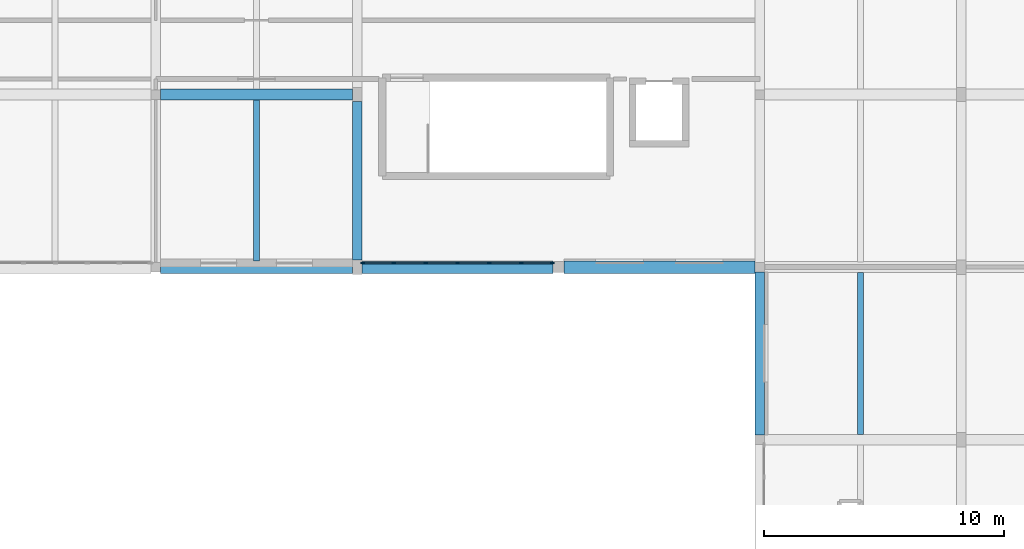
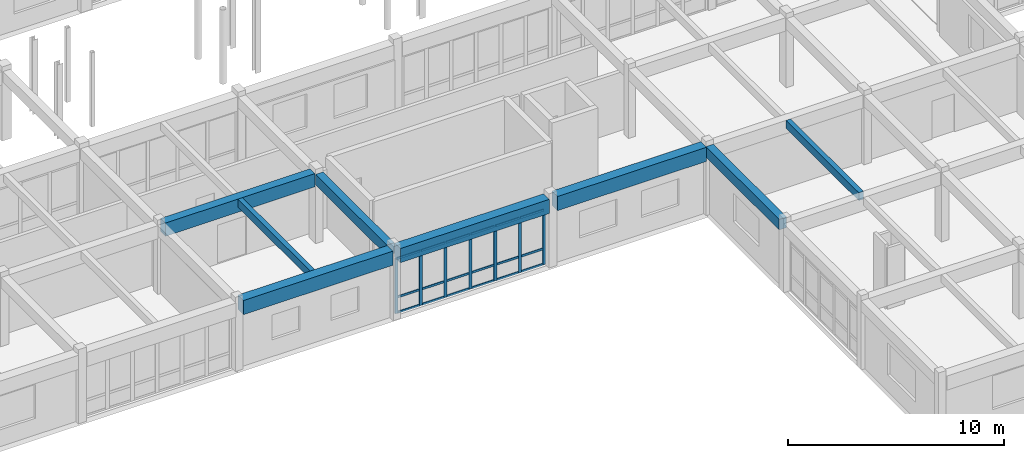
# One storey, part 44 of 147: 25 members, 8 beams, 1 element without a shape of its own.
"""IFC4 building model written with IfcOpenShell, lengths in metres."""

from ifc_helpers import new_model, si_unit, direction, frame, origin, origin_2d, place, context, subcontext, project, spatial, rectangle, extrude, material, material_profile, profile_set, type_object, element, aggregate, save


model = new_model("IFC4")

# Units and contexts
model_context = context("Model", 3, precision=1e-05, world=origin(), true_north=direction((0.0, 1.0)))
body_context = subcontext(model_context, "Body", "Model", "MODEL_VIEW")
ifc_project = project(units=[si_unit("LENGTHUNIT", "METRE"), si_unit("AREAUNIT", "SQUARE_METRE"), si_unit("VOLUMEUNIT", "CUBIC_METRE"), si_unit("PLANEANGLEUNIT", "RADIAN"), si_unit("MASSUNIT", "GRAM", prefix="KILO")], contexts=[model_context])

# Site, building, storey
site_placement = place(None, origin())
site = spatial("IfcSite", under=ifc_project, at=site_placement, CompositionType="ELEMENT")
building_placement = place(site_placement, origin())
building = spatial("IfcBuilding", under=site, at=building_placement, Name="Malvenik Polytechnic", CompositionType="ELEMENT")
storey_placement = place(building_placement, frame((0.0, 0.0, 5.10009765625)))
storey = spatial("IfcBuildingStorey", under=building, at=storey_placement, Name="L01", CompositionType="ELEMENT", Elevation=5.10009765625)

# Curtain wall, members
ifc_material_1 = material(Name="Anodised aluminium 6060-T6", Category="aluminium")
curtain_wall_type = type_object("IfcCurtainWallType", Name="ARC-CW-CW-02", PredefinedType="NOTDEFINED", material=ifc_material_1)
curtain_wall_placement = place(storey_placement, origin())
curtain_wall = element("IfcCurtainWall", 1, at=curtain_wall_placement, inside=storey, type_object=curtain_wall_type, Name="Unitised Curtain Wall CW-02 L01 #113", PredefinedType="NOTDEFINED")
ifc_material_2 = material(Name="Anodised aluminium", Category="aluminium")
ifc_material_profile_1 = material_profile(ifc_material_2, rectangle(XDim=0.06005859375, YDim=0.159912109375, at=origin_2d()), Name="ALU MULLION 60x160")
ifc_profile_set_1 = profile_set([ifc_material_profile_1], Name="Anodised aluminium")
member_type_1 = type_object("IfcMemberType", Name="ARC-CWM-160", PredefinedType="MULLION", material=ifc_profile_set_1)
member_1_placement = place(storey_placement, frame((108.947021484375, 21.77001953125, 0.0), z_axis=(0.0, 0.0, 1.0), x_axis=(0.0, -1.0, 0.0)))
member_1 = element("IfcMember", 2, at=member_1_placement, type_object=member_type_1, Name="CW-02 mullion 1", PredefinedType="MULLION", context=body_context, shape_type="SweptSolid", body=[
    extrude(rectangle(XDim=0.06005859375, YDim=0.159912109375, at=origin_2d()), origin(), (0.0, 0.0, 1.0), 3.10986328125),
])
member_2_placement = place(storey_placement, frame((107.647216796875, 21.77001953125, 0.0), z_axis=(0.0, 0.0, 1.0), x_axis=(0.0, -1.0, 0.0)))
member_2 = element("IfcMember", 3, at=member_2_placement, type_object=member_type_1, Name="CW-02 mullion 2", PredefinedType="MULLION", context=body_context, shape_type="SweptSolid", body=[
    extrude(rectangle(XDim=0.06005859375, YDim=0.159912109375, at=origin_2d()), origin(), (0.0, 0.0, 1.0), 3.10986328125),
])
member_3_placement = place(storey_placement, frame((106.3173828125, 21.77001953125, 0.0), z_axis=(0.0, 0.0, 1.0), x_axis=(0.0, -1.0, 0.0)))
member_3 = element("IfcMember", 4, at=member_3_placement, type_object=member_type_1, Name="CW-02 mullion 3", PredefinedType="MULLION", context=body_context, shape_type="SweptSolid", body=[
    extrude(rectangle(XDim=0.06005859375, YDim=0.159912109375, at=origin_2d()), origin(), (0.0, 0.0, 1.0), 3.10986328125),
])
member_4_placement = place(storey_placement, frame((104.987548828125, 21.77001953125, 0.0), z_axis=(0.0, 0.0, 1.0), x_axis=(0.0, -1.0, 0.0)))
member_4 = element("IfcMember", 5, at=member_4_placement, type_object=member_type_1, Name="CW-02 mullion 4", PredefinedType="MULLION", context=body_context, shape_type="SweptSolid", body=[
    extrude(rectangle(XDim=0.06005859375, YDim=0.159912109375, at=origin_2d()), origin(), (0.0, 0.0, 1.0), 3.10986328125),
])
member_5_placement = place(storey_placement, frame((103.65771484375, 21.77001953125, 0.0), z_axis=(0.0, 0.0, 1.0), x_axis=(0.0, -1.0, 0.0)))
member_5 = element("IfcMember", 6, at=member_5_placement, type_object=member_type_1, Name="CW-02 mullion 5", PredefinedType="MULLION", context=body_context, shape_type="SweptSolid", body=[
    extrude(rectangle(XDim=0.06005859375, YDim=0.159912109375, at=origin_2d()), origin(), (0.0, 0.0, 1.0), 3.10986328125),
])
member_6_placement = place(storey_placement, frame((102.327880859375, 21.77001953125, 0.0), z_axis=(0.0, 0.0, 1.0), x_axis=(0.0, -1.0, 0.0)))
member_6 = element("IfcMember", 7, at=member_6_placement, type_object=member_type_1, Name="CW-02 mullion 6", PredefinedType="MULLION", context=body_context, shape_type="SweptSolid", body=[
    extrude(rectangle(XDim=0.06005859375, YDim=0.159912109375, at=origin_2d()), origin(), (0.0, 0.0, 1.0), 3.10986328125),
])
member_7_placement = place(storey_placement, frame((101.028076171875, 21.77001953125, 0.0), z_axis=(0.0, 0.0, 1.0), x_axis=(0.0, -1.0, 0.0)))
member_7 = element("IfcMember", 8, at=member_7_placement, type_object=member_type_1, Name="CW-02 mullion 7", PredefinedType="MULLION", context=body_context, shape_type="SweptSolid", body=[
    extrude(rectangle(XDim=0.06005859375, YDim=0.159912109375, at=origin_2d()), origin(), (0.0, 0.0, 1.0), 3.10986328125),
])
ifc_material_profile_2 = material_profile(ifc_material_2, rectangle(XDim=0.06005859375, YDim=0.1201171875, at=origin_2d()), Name="ALU TRANSOM 60x120")
ifc_profile_set_2 = profile_set([ifc_material_profile_2], Name="Anodised aluminium")
member_type_2 = type_object("IfcMemberType", Name="ARC-CWT-120", PredefinedType="USERDEFINED", material=ifc_profile_set_2)
member_8_placement = place(storey_placement, frame((108.9169921875, 21.77001953125, 0.02978515625), z_axis=(-1.0, 0.0, 0.0), x_axis=(0.0, -1.0, 0.0)))
member_8 = element("IfcMember", 9, at=member_8_placement, type_object=member_type_2, Name="CW-02 transom 1.1", ObjectType="TRANSOM", PredefinedType="USERDEFINED", context=body_context, shape_type="SweptSolid", body=[
    extrude(rectangle(XDim=0.06005859375, YDim=0.1201171875, at=origin_2d()), origin(), (0.0, 0.0, 1.0), 1.23974609375),
])
member_9_placement = place(storey_placement, frame((108.9169921875, 21.77001953125, 0.89990234375), z_axis=(-1.0, 0.0, 0.0), x_axis=(0.0, -1.0, 0.0)))
member_9 = element("IfcMember", 10, at=member_9_placement, type_object=member_type_2, Name="CW-02 transom 1.2", ObjectType="TRANSOM", PredefinedType="USERDEFINED", context=body_context, shape_type="SweptSolid", body=[
    extrude(rectangle(XDim=0.06005859375, YDim=0.1201171875, at=origin_2d()), origin(), (0.0, 0.0, 1.0), 1.23974609375),
])
member_10_placement = place(storey_placement, frame((108.9169921875, 21.77001953125, 3.079833984375), z_axis=(-1.0, 0.0, 0.0), x_axis=(0.0, -1.0, 0.0)))
member_10 = element("IfcMember", 11, at=member_10_placement, type_object=member_type_2, Name="CW-02 transom 1.3", ObjectType="TRANSOM", PredefinedType="USERDEFINED", context=body_context, shape_type="SweptSolid", body=[
    extrude(rectangle(XDim=0.06005859375, YDim=0.1201171875, at=origin_2d()), origin(), (0.0, 0.0, 1.0), 1.23974609375),
])
member_11_placement = place(storey_placement, frame((107.6171875, 21.77001953125, 0.02978515625), z_axis=(-1.0, 0.0, 0.0), x_axis=(0.0, -1.0, 0.0)))
member_11 = element("IfcMember", 12, at=member_11_placement, type_object=member_type_2, Name="CW-02 transom 2.1", ObjectType="TRANSOM", PredefinedType="USERDEFINED", context=body_context, shape_type="SweptSolid", body=[
    extrude(rectangle(XDim=0.06005859375, YDim=0.1201171875, at=origin_2d()), origin(), (0.0, 0.0, 1.0), 1.269775390625),
])
member_12_placement = place(storey_placement, frame((107.6171875, 21.77001953125, 0.89990234375), z_axis=(-1.0, 0.0, 0.0), x_axis=(0.0, -1.0, 0.0)))
member_12 = element("IfcMember", 13, at=member_12_placement, type_object=member_type_2, Name="CW-02 transom 2.2", ObjectType="TRANSOM", PredefinedType="USERDEFINED", context=body_context, shape_type="SweptSolid", body=[
    extrude(rectangle(XDim=0.06005859375, YDim=0.1201171875, at=origin_2d()), origin(), (0.0, 0.0, 1.0), 1.269775390625),
])
member_13_placement = place(storey_placement, frame((107.6171875, 21.77001953125, 3.079833984375), z_axis=(-1.0, 0.0, 0.0), x_axis=(0.0, -1.0, 0.0)))
member_13 = element("IfcMember", 14, at=member_13_placement, type_object=member_type_2, Name="CW-02 transom 2.3", ObjectType="TRANSOM", PredefinedType="USERDEFINED", context=body_context, shape_type="SweptSolid", body=[
    extrude(rectangle(XDim=0.06005859375, YDim=0.1201171875, at=origin_2d()), origin(), (0.0, 0.0, 1.0), 1.269775390625),
])
member_14_placement = place(storey_placement, frame((106.287353515625, 21.77001953125, 0.02978515625), z_axis=(-1.0, 0.0, 0.0), x_axis=(0.0, -1.0, 0.0)))
member_14 = element("IfcMember", 15, at=member_14_placement, type_object=member_type_2, Name="CW-02 transom 3.1", ObjectType="TRANSOM", PredefinedType="USERDEFINED", context=body_context, shape_type="SweptSolid", body=[
    extrude(rectangle(XDim=0.06005859375, YDim=0.1201171875, at=origin_2d()), origin(), (0.0, 0.0, 1.0), 1.269775390625),
])
member_15_placement = place(storey_placement, frame((106.287353515625, 21.77001953125, 0.89990234375), z_axis=(-1.0, 0.0, 0.0), x_axis=(0.0, -1.0, 0.0)))
member_15 = element("IfcMember", 16, at=member_15_placement, type_object=member_type_2, Name="CW-02 transom 3.2", ObjectType="TRANSOM", PredefinedType="USERDEFINED", context=body_context, shape_type="SweptSolid", body=[
    extrude(rectangle(XDim=0.06005859375, YDim=0.1201171875, at=origin_2d()), origin(), (0.0, 0.0, 1.0), 1.269775390625),
])
member_16_placement = place(storey_placement, frame((106.287353515625, 21.77001953125, 3.079833984375), z_axis=(-1.0, 0.0, 0.0), x_axis=(0.0, -1.0, 0.0)))
member_16 = element("IfcMember", 17, at=member_16_placement, type_object=member_type_2, Name="CW-02 transom 3.3", ObjectType="TRANSOM", PredefinedType="USERDEFINED", context=body_context, shape_type="SweptSolid", body=[
    extrude(rectangle(XDim=0.06005859375, YDim=0.1201171875, at=origin_2d()), origin(), (0.0, 0.0, 1.0), 1.269775390625),
])
member_17_placement = place(storey_placement, frame((104.95751953125, 21.77001953125, 0.02978515625), z_axis=(-1.0, 0.0, 0.0), x_axis=(0.0, -1.0, 0.0)))
member_17 = element("IfcMember", 18, at=member_17_placement, type_object=member_type_2, Name="CW-02 transom 4.1", ObjectType="TRANSOM", PredefinedType="USERDEFINED", context=body_context, shape_type="SweptSolid", body=[
    extrude(rectangle(XDim=0.06005859375, YDim=0.1201171875, at=origin_2d()), origin(), (0.0, 0.0, 1.0), 1.269775390625),
])
member_18_placement = place(storey_placement, frame((104.95751953125, 21.77001953125, 0.89990234375), z_axis=(-1.0, 0.0, 0.0), x_axis=(0.0, -1.0, 0.0)))
member_18 = element("IfcMember", 19, at=member_18_placement, type_object=member_type_2, Name="CW-02 transom 4.2", ObjectType="TRANSOM", PredefinedType="USERDEFINED", context=body_context, shape_type="SweptSolid", body=[
    extrude(rectangle(XDim=0.06005859375, YDim=0.1201171875, at=origin_2d()), origin(), (0.0, 0.0, 1.0), 1.269775390625),
])
member_19_placement = place(storey_placement, frame((104.95751953125, 21.77001953125, 3.079833984375), z_axis=(-1.0, 0.0, 0.0), x_axis=(0.0, -1.0, 0.0)))
member_19 = element("IfcMember", 20, at=member_19_placement, type_object=member_type_2, Name="CW-02 transom 4.3", ObjectType="TRANSOM", PredefinedType="USERDEFINED", context=body_context, shape_type="SweptSolid", body=[
    extrude(rectangle(XDim=0.06005859375, YDim=0.1201171875, at=origin_2d()), origin(), (0.0, 0.0, 1.0), 1.269775390625),
])
member_20_placement = place(storey_placement, frame((103.627685546875, 21.77001953125, 0.02978515625), z_axis=(-1.0, 0.0, 0.0), x_axis=(0.0, -1.0, 0.0)))
member_20 = element("IfcMember", 21, at=member_20_placement, type_object=member_type_2, Name="CW-02 transom 5.1", ObjectType="TRANSOM", PredefinedType="USERDEFINED", context=body_context, shape_type="SweptSolid", body=[
    extrude(rectangle(XDim=0.06005859375, YDim=0.1201171875, at=origin_2d()), origin(), (0.0, 0.0, 1.0), 1.269775390625),
])
member_21_placement = place(storey_placement, frame((103.627685546875, 21.77001953125, 0.89990234375), z_axis=(-1.0, 0.0, 0.0), x_axis=(0.0, -1.0, 0.0)))
member_21 = element("IfcMember", 22, at=member_21_placement, type_object=member_type_2, Name="CW-02 transom 5.2", ObjectType="TRANSOM", PredefinedType="USERDEFINED", context=body_context, shape_type="SweptSolid", body=[
    extrude(rectangle(XDim=0.06005859375, YDim=0.1201171875, at=origin_2d()), origin(), (0.0, 0.0, 1.0), 1.269775390625),
])
member_22_placement = place(storey_placement, frame((103.627685546875, 21.77001953125, 3.079833984375), z_axis=(-1.0, 0.0, 0.0), x_axis=(0.0, -1.0, 0.0)))
member_22 = element("IfcMember", 23, at=member_22_placement, type_object=member_type_2, Name="CW-02 transom 5.3", ObjectType="TRANSOM", PredefinedType="USERDEFINED", context=body_context, shape_type="SweptSolid", body=[
    extrude(rectangle(XDim=0.06005859375, YDim=0.1201171875, at=origin_2d()), origin(), (0.0, 0.0, 1.0), 1.269775390625),
])
member_23_placement = place(storey_placement, frame((102.2978515625, 21.77001953125, 0.02978515625), z_axis=(-1.0, 0.0, 0.0), x_axis=(0.0, -1.0, 0.0)))
member_23 = element("IfcMember", 24, at=member_23_placement, type_object=member_type_2, Name="CW-02 transom 6.1", ObjectType="TRANSOM", PredefinedType="USERDEFINED", context=body_context, shape_type="SweptSolid", body=[
    extrude(rectangle(XDim=0.06005859375, YDim=0.1201171875, at=origin_2d()), origin(), (0.0, 0.0, 1.0), 1.23974609375),
])
member_24_placement = place(storey_placement, frame((102.2978515625, 21.77001953125, 0.89990234375), z_axis=(-1.0, 0.0, 0.0), x_axis=(0.0, -1.0, 0.0)))
member_24 = element("IfcMember", 25, at=member_24_placement, type_object=member_type_2, Name="CW-02 transom 6.2", ObjectType="TRANSOM", PredefinedType="USERDEFINED", context=body_context, shape_type="SweptSolid", body=[
    extrude(rectangle(XDim=0.06005859375, YDim=0.1201171875, at=origin_2d()), origin(), (0.0, 0.0, 1.0), 1.23974609375),
])
member_25_placement = place(storey_placement, frame((102.2978515625, 21.77001953125, 3.079833984375), z_axis=(-1.0, 0.0, 0.0), x_axis=(0.0, -1.0, 0.0)))
member_25 = element("IfcMember", 26, at=member_25_placement, type_object=member_type_2, Name="CW-02 transom 6.3", ObjectType="TRANSOM", PredefinedType="USERDEFINED", context=body_context, shape_type="SweptSolid", body=[
    extrude(rectangle(XDim=0.06005859375, YDim=0.1201171875, at=origin_2d()), origin(), (0.0, 0.0, 1.0), 1.23974609375),
])
aggregate(curtain_wall, [member_1, member_2, member_3, member_4, member_5, member_6, member_7, member_8, member_9, member_10, member_11, member_12, member_13, member_14, member_15, member_16, member_17, member_18, member_19, member_20, member_21, member_22, member_23, member_24, member_25])

# Beams
ifc_material_3 = material(Name="Concrete C35/45", Category="concrete")
ifc_material_profile_3 = material_profile(ifc_material_3, rectangle(XDim=0.449951171875, YDim=0.75, at=origin_2d()), Name="RC BM 450x750")
ifc_profile_set_3 = profile_set([ifc_material_profile_3], Name="Concrete C35/45")
beam_type_1 = type_object("IfcBeamType", Name="STR-BM-B-03", PredefinedType="BEAM", material=ifc_profile_set_3)
beam_1_placement = place(storey_placement, frame((92.597900390625, 28.800048828125, 3.544921875), z_axis=(1.0, 0.0, 0.0), x_axis=(0.0, 1.0, 0.0)))
element("IfcBeam", 27, at=beam_1_placement, inside=storey, type_object=beam_type_1, Name="Primary Beam B-03 L01 #984", PredefinedType="BEAM", context=body_context, shape_type="SweptSolid", body=[
    extrude(rectangle(XDim=0.449951171875, YDim=0.75, at=origin_2d()), origin(), (0.0, 0.0, 1.0), 8.004150390625),
])
ifc_material_profile_4 = material_profile(ifc_material_3, rectangle(XDim=0.39990234375, YDim=0.60009765625, at=origin_2d()), Name="RC BM 400x600")
ifc_profile_set_4 = profile_set([ifc_material_profile_4], Name="Concrete C35/45")
beam_type_2 = type_object("IfcBeamType", Name="STR-BM-B-06", PredefinedType="BEAM", material=ifc_profile_set_4)
beam_2_placement = place(storey_placement, frame((100.800048828125, 21.89794921875, 3.619873046875), z_axis=(0.0, 1.0, 0.0), x_axis=(-1.0, 0.0, 0.0)))
element("IfcBeam", 28, at=beam_2_placement, inside=storey, type_object=beam_type_2, Name="Transverse Beam B-06 L01 #1207", PredefinedType="BEAM", context=body_context, shape_type="SweptSolid", body=[
    extrude(rectangle(XDim=0.39990234375, YDim=0.60009765625, at=origin_2d()), origin(), (0.0, 0.0, 1.0), 6.60400390625),
])
beam_3_placement = place(storey_placement, frame((117.60009765625, 14.597900390625, 3.619873046875), z_axis=(0.0, 1.0, 0.0), x_axis=(-1.0, 0.0, 0.0)))
element("IfcBeam", 29, at=beam_3_placement, inside=storey, type_object=beam_type_2, Name="Transverse Beam B-06 L01 #1219", PredefinedType="BEAM", context=body_context, shape_type="SweptSolid", body=[
    extrude(rectangle(XDim=0.39990234375, YDim=0.60009765625, at=origin_2d()), origin(), (0.0, 0.0, 1.0), 6.80419921875),
])
ifc_material_4 = material(Name="Concrete C30/37", Category="concrete")
ifc_material_profile_5 = material_profile(ifc_material_4, rectangle(XDim=0.25, YDim=0.449951171875, at=origin_2d()), Name="RC JST 250x450")
ifc_profile_set_5 = profile_set([ifc_material_profile_5], Name="Concrete C30/37")
beam_type_3 = type_object("IfcBeamType", Name="STR-BM-J-02", PredefinedType="JOIST", material=ifc_profile_set_5)
beam_4_placement = place(storey_placement, frame((96.60009765625, 21.85791015625, 3.69482421875), z_axis=(0.0, 1.0, 0.0), x_axis=(-1.0, 0.0, 0.0)))
element("IfcBeam", 30, at=beam_4_placement, inside=storey, type_object=beam_type_3, Name="Secondary Rib Joist J-02 L01 #1302", PredefinedType="JOIST", context=body_context, shape_type="SweptSolid", body=[
    extrude(rectangle(XDim=0.25, YDim=0.449951171875, at=origin_2d()), origin(), (0.0, 0.0, 1.0), 6.718994140625),
])
beam_5_placement = place(storey_placement, frame((121.800048828125, 14.623046875, 3.69482421875), z_axis=(0.0, 1.0, 0.0), x_axis=(-1.0, 0.0, 0.0)))
element("IfcBeam", 31, at=beam_5_placement, inside=storey, type_object=beam_type_3, Name="Secondary Rib Joist J-02 L01 #1311", PredefinedType="JOIST", context=body_context, shape_type="SweptSolid", body=[
    extrude(rectangle(XDim=0.25, YDim=0.449951171875, at=origin_2d()), origin(), (0.0, 0.0, 1.0), 6.75390625),
])
ifc_material_5 = material(Name="Precast concrete C40/50", Category="concrete")
ifc_material_profile_6 = material_profile(ifc_material_5, rectangle(XDim=0.52001953125, YDim=0.800048828125, at=origin_2d()), Name="PC SPN 520x800")
ifc_profile_set_6 = profile_set([ifc_material_profile_6], Name="Precast concrete C40/50")
beam_type_4 = type_object("IfcBeamType", Name="STR-BM-SP-01", PredefinedType="SPANDREL", material=ifc_profile_set_6)
beam_6_placement = place(storey_placement, frame((92.597900390625, 21.60009765625, 3.52001953125), z_axis=(1.0, 0.0, 0.0), x_axis=(0.0, 1.0, 0.0)))
element("IfcBeam", 32, at=beam_6_placement, inside=storey, type_object=beam_type_4, Name="Primary Beam SP-01 L01 #974", PredefinedType="SPANDREL", context=body_context, shape_type="SweptSolid", body=[
    extrude(rectangle(XDim=0.52001953125, YDim=0.800048828125, at=origin_2d()), origin(), (0.0, 0.0, 1.0), 8.004150390625),
])
for number, where, z_axis, x_axis, name in (
    (33, (100.998046875, 21.60009765625, 3.52001953125), (1.0, 0.0, 0.0), (0.0, 1.0, 0.0), "Primary Beam SP-01 L01 #975"),
    (34, (109.423095703125, 21.60009765625, 3.52001953125), (1.0, 0.0, 0.0), (0.0, 1.0, 0.0), "Primary Beam SP-01 L01 #976"),
):
    element("IfcBeam", number, at=place(storey_placement, frame(where, z_axis=z_axis, x_axis=x_axis)), inside=storey, type_object=beam_type_4, Name=name, PredefinedType="SPANDREL", context=body_context, shape_type="SweptSolid", body=[
        extrude(rectangle(XDim=0.52001953125, YDim=0.800048828125, at=origin_2d()), origin(), (0.0, 0.0, 1.0), 7.97900390625),
    ])

save(model, "model.ifc")
